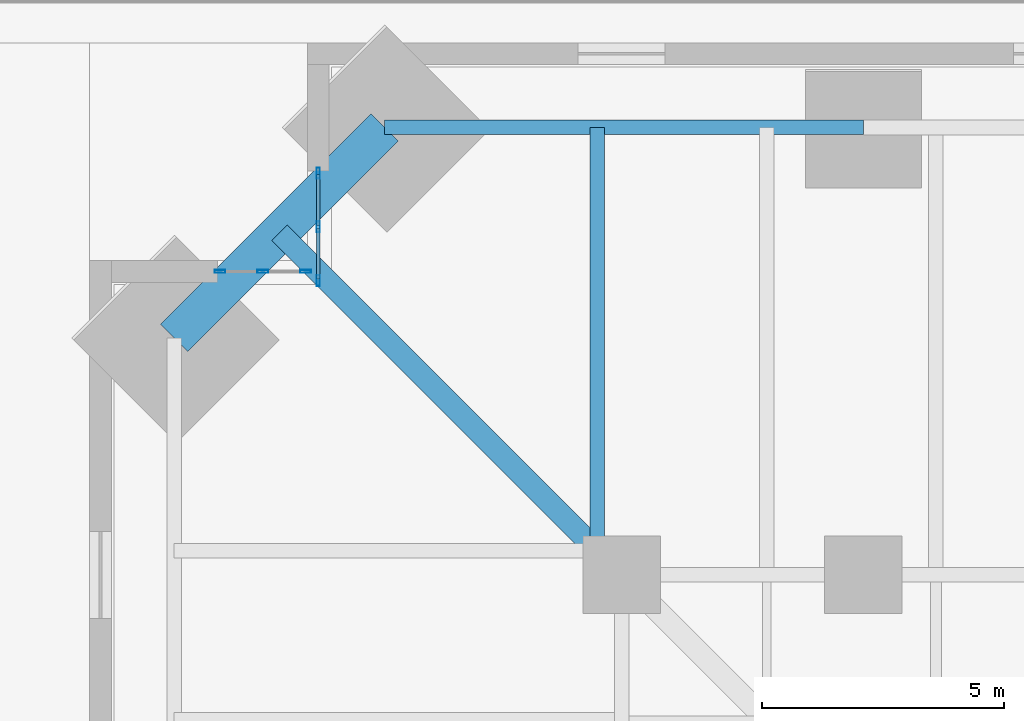
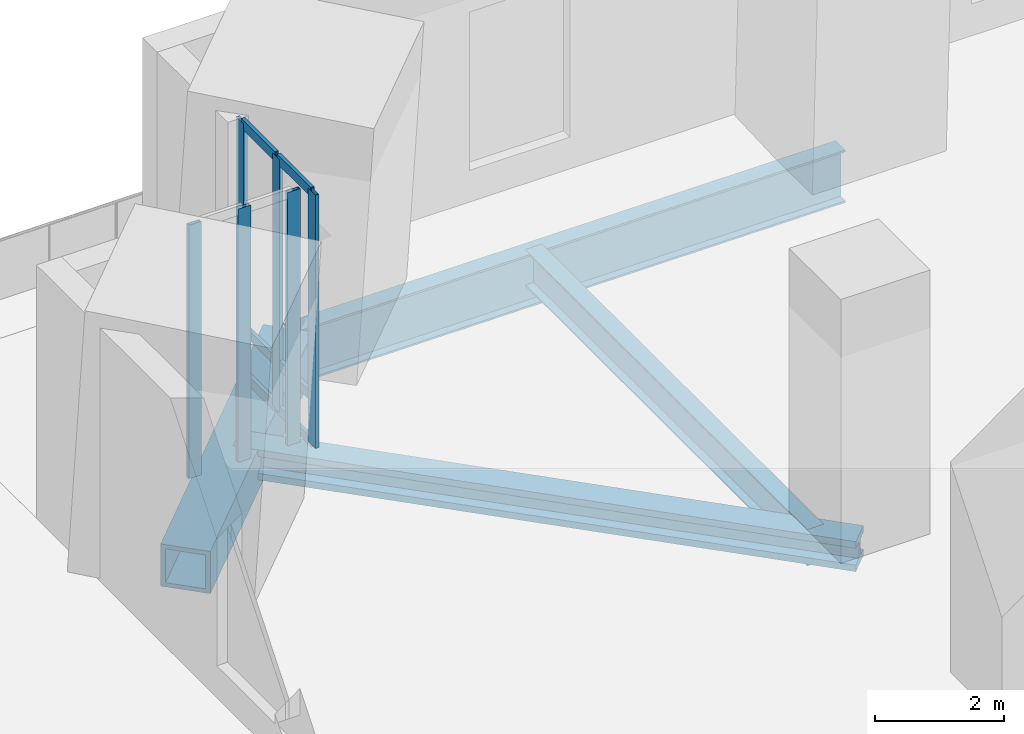
# One storey, part 6 of 26: 12 members, 4 beams, 2 elements without a shape of their own.
"""IFC4 building model written with IfcOpenShell, lengths in metres."""

from ifc_helpers import new_model, si_unit, direction, frame, origin, origin_2d, place, context, subcontext, project, spatial, hollow_rectangle, i_section, extrude, material, material_profile, profile_set, type_object, element, aggregate, save


model = new_model("IFC4")

# Units and contexts
model_context = context("Model", 3, precision=1e-05, world=origin(), true_north=direction((0.0, 1.0)))
body_context = subcontext(model_context, "Body", "Model", "MODEL_VIEW")
ifc_project = project(units=[si_unit("LENGTHUNIT", "METRE"), si_unit("AREAUNIT", "SQUARE_METRE"), si_unit("VOLUMEUNIT", "CUBIC_METRE"), si_unit("PLANEANGLEUNIT", "RADIAN"), si_unit("MASSUNIT", "GRAM", prefix="KILO")], contexts=[model_context])

# Site, building, storey
site_placement = place(None, origin())
site = spatial("IfcSite", under=ifc_project, at=site_placement, CompositionType="ELEMENT")
building_placement = place(site_placement, origin())
building = spatial("IfcBuilding", under=site, at=building_placement, Name="Peilmerk Tower", CompositionType="ELEMENT")
storey_placement = place(building_placement, frame((0.0, 0.0, 16.0)))
storey = spatial("IfcBuildingStorey", under=building, at=storey_placement, Name="L03", CompositionType="ELEMENT", Elevation=16.0)

# Beams
ifc_material_1 = material(Name="Steel S355", Category="steel")
ifc_material_profile_1 = material_profile(ifc_material_1, i_section(OverallWidth=0.300048828125, OverallDepth=1.0, WebThickness=0.01904296875, FlangeThickness=0.035888671875, at=origin_2d()), Name="HEB 1000")
ifc_profile_set_1 = profile_set([ifc_material_profile_1], Name="Steel S355")
beam_type_1 = type_object("IfcBeamType", Name="B13 HEB 1000 edge beam", PredefinedType="SPANDREL", material=ifc_profile_set_1)
beam_1_placement = place(storey_placement, frame((-16.0, 30.251708984375, -0.699951171875), z_axis=(-1.0, 0.0, 0.0), x_axis=(0.0, -1.0, 0.0)))
element("IfcBeam", 1, at=beam_1_placement, inside=storey, type_object=beam_type_1, Name="Edge beam L03", PredefinedType="SPANDREL", context=body_context, shape_type="SweptSolid", body=[
    extrude(i_section(OverallWidth=0.300048828125, OverallDepth=1.0, WebThickness=0.01904296875, FlangeThickness=0.035888671875, at=origin_2d()), origin(), (0.0, 0.0, 1.0), 9.901611328125),
])
ifc_material_profile_2 = material_profile(ifc_material_1, i_section(OverallWidth=0.300048828125, OverallDepth=0.68994140625, WebThickness=0.014404296875, FlangeThickness=0.027099609375, at=origin_2d()), Name="HEA 700")
ifc_profile_set_2 = profile_set([ifc_material_profile_2], Name="Steel S355")
beam_type_2 = type_object("IfcBeamType", Name="B16 HEA 700 floor beam", PredefinedType="BEAM", material=ifc_profile_set_2)
beam_2_placement = place(storey_placement, frame((-21.5, 21.5, -0.544921875), z_axis=(0.0, 1.0, 0.0), x_axis=(-1.0, 0.0, 0.0)))
element("IfcBeam", 2, at=beam_2_placement, inside=storey, type_object=beam_type_2, Name="Floor beam L03", PredefinedType="BEAM", context=body_context, shape_type="SweptSolid", body=[
    extrude(i_section(OverallWidth=0.300048828125, OverallDepth=0.68994140625, WebThickness=0.014404296875, FlangeThickness=0.027099609375, at=origin_2d()), origin(), (0.0, 0.0, 1.0), 8.751708984375),
])
ifc_material_2 = material(Name="Steel S460", Category="steel")
ifc_material_profile_3 = material_profile(ifc_material_2, hollow_rectangle(XDim=0.800048828125, YDim=0.800048828125, WallThickness=0.080078125, at=origin_2d()), Name="BOX 800x800x80")
ifc_profile_set_3 = profile_set([ifc_material_profile_3], Name="Steel S460")
beam_type_3 = type_object("IfcBeamType", Name="B8 BOX 800x800x80 notch beam", PredefinedType="SPANDREL", material=ifc_profile_set_3)
beam_3_placement = place(storey_placement, frame((-30.251708984375, 25.901611328125, -0.60009765625), z_axis=(0.707106781187, 0.707106781187, 0.0), x_axis=(-0.707106781187, 0.707106781187, 0.0)))
element("IfcBeam", 3, at=beam_3_placement, inside=storey, type_object=beam_type_3, Name="Notch beam L03", PredefinedType="SPANDREL", context=body_context, shape_type="SweptSolid", body=[
    extrude(hollow_rectangle(XDim=0.800048828125, YDim=0.800048828125, WallThickness=0.080078125, at=origin_2d()), origin(), (0.0, 0.0, 1.0), 6.15185546875),
])
ifc_material_profile_4 = material_profile(ifc_material_2, i_section(OverallWidth=0.4541015625, OverallDepth=0.569091796875, WebThickness=0.077880859375, FlangeThickness=0.125, at=origin_2d()), Name="HD 400x1086")
ifc_profile_set_4 = profile_set([ifc_material_profile_4], Name="Steel S460")
beam_type_4 = type_object("IfcBeamType", Name="B9 HD 400x1086 corner girder", PredefinedType="BEAM", material=ifc_profile_set_4)
beam_4_placement = place(storey_placement, frame((-21.0, 21.0, -0.484619140625), z_axis=(-0.707106781187, 0.707106781187, 0.0), x_axis=(-0.707106781187, -0.707106781187, 0.0)))
element("IfcBeam", 4, at=beam_4_placement, inside=storey, type_object=beam_type_4, Name="Corner girder L03", PredefinedType="BEAM", context=body_context, shape_type="SweptSolid", body=[
    extrude(i_section(OverallWidth=0.4541015625, OverallDepth=0.569091796875, WebThickness=0.077880859375, FlangeThickness=0.125, at=origin_2d()), origin(), (0.0, 0.0, 1.0), 10.0078125),
])

# Curtain wall, members
ifc_material_3 = material(Name="Aluminium stick curtain wall", Category="aluminium")
curtain_wall_type = type_object("IfcCurtainWallType", Name="CW1 stick curtain wall, 1500 module", PredefinedType="NOTDEFINED", material=ifc_material_3)
curtain_wall_1_placement = place(storey_placement, origin())
curtain_wall_1 = element("IfcCurtainWall", 5, at=curtain_wall_1_placement, inside=storey, type_object=curtain_wall_type, Name="Curtain wall CW1 NWA L03", PredefinedType="NOTDEFINED")
ifc_material_4 = material(Name="Aluminium EN AW-6063 T6", Category="aluminium")
ifc_material_profile_5 = material_profile(ifc_material_4, hollow_rectangle(XDim=0.06494140625, YDim=0.22509765625, WallThickness=0.00390625, at=origin_2d()), Name="AL 225x65x4")
ifc_profile_set_5 = profile_set([ifc_material_profile_5], Name="Aluminium EN AW-6063 T6")
member_type_1 = type_object("IfcMemberType", Name="CW1-M AL 225x65x4 mullion", PredefinedType="MULLION", material=ifc_profile_set_5)
member_1_placement = place(storey_placement, frame((-27.27490234375, 27.08251953125, 0.0), z_axis=(0.0, 0.0, 1.0), x_axis=(-1.0, 0.0, 0.0)))
member_1 = element("IfcMember", 6, at=member_1_placement, type_object=member_type_1, Name="CW1 mullion 1", PredefinedType="MULLION", context=body_context, shape_type="SweptSolid", body=[
    extrude(hollow_rectangle(XDim=0.06494140625, YDim=0.22509765625, WallThickness=0.00390625, at=origin_2d()), origin(), (0.0, 0.0, 1.0), 4.800048828125),
])
member_2_placement = place(storey_placement, frame((-27.27490234375, 28.1943359375, 0.0), z_axis=(0.0, 0.0, 1.0), x_axis=(-1.0, 0.0, 0.0)))
member_2 = element("IfcMember", 7, at=member_2_placement, type_object=member_type_1, Name="CW1 mullion 2", PredefinedType="MULLION", context=body_context, shape_type="SweptSolid", body=[
    extrude(hollow_rectangle(XDim=0.06494140625, YDim=0.22509765625, WallThickness=0.00390625, at=origin_2d()), origin(), (0.0, 0.0, 1.0), 4.800048828125),
])
member_3_placement = place(storey_placement, frame((-27.27490234375, 29.30615234375, 0.0), z_axis=(0.0, 0.0, 1.0), x_axis=(-1.0, 0.0, 0.0)))
member_3 = element("IfcMember", 8, at=member_3_placement, type_object=member_type_1, Name="CW1 mullion 3", PredefinedType="MULLION", context=body_context, shape_type="SweptSolid", body=[
    extrude(hollow_rectangle(XDim=0.06494140625, YDim=0.22509765625, WallThickness=0.00390625, at=origin_2d()), origin(), (0.0, 0.0, 1.0), 4.800048828125),
])

curtain_wall_2_placement = place(storey_placement, origin())
curtain_wall_2 = element("IfcCurtainWall", 9, at=curtain_wall_2_placement, inside=storey, type_object=curtain_wall_type, Name="Curtain wall CW1 NWB L03", PredefinedType="NOTDEFINED")
member_4_placement = place(storey_placement, frame((-27.532470703125, 27.27490234375, 0.0), z_axis=(0.0, 0.0, 1.0), x_axis=(0.0, -1.0, 0.0)))
member_4 = element("IfcMember", 10, at=member_4_placement, type_object=member_type_1, Name="CW1 mullion 1", PredefinedType="MULLION", context=body_context, shape_type="SweptSolid", body=[
    extrude(hollow_rectangle(XDim=0.06494140625, YDim=0.22509765625, WallThickness=0.00390625, at=origin_2d()), origin(), (0.0, 0.0, 1.0), 4.800048828125),
])
member_5_placement = place(storey_placement, frame((-28.41943359375, 27.27490234375, 0.0), z_axis=(0.0, 0.0, 1.0), x_axis=(0.0, -1.0, 0.0)))
member_5 = element("IfcMember", 11, at=member_5_placement, type_object=member_type_1, Name="CW1 mullion 2", PredefinedType="MULLION", context=body_context, shape_type="SweptSolid", body=[
    extrude(hollow_rectangle(XDim=0.06494140625, YDim=0.22509765625, WallThickness=0.00390625, at=origin_2d()), origin(), (0.0, 0.0, 1.0), 4.800048828125),
])
member_6_placement = place(storey_placement, frame((-29.30615234375, 27.27490234375, 0.0), z_axis=(0.0, 0.0, 1.0), x_axis=(0.0, -1.0, 0.0)))
member_6 = element("IfcMember", 12, at=member_6_placement, type_object=member_type_1, Name="CW1 mullion 3", PredefinedType="MULLION", context=body_context, shape_type="SweptSolid", body=[
    extrude(hollow_rectangle(XDim=0.06494140625, YDim=0.22509765625, WallThickness=0.00390625, at=origin_2d()), origin(), (0.0, 0.0, 1.0), 4.800048828125),
])
aggregate(curtain_wall_2, [member_4, member_5, member_6])

# Member
ifc_material_profile_6 = material_profile(ifc_material_4, hollow_rectangle(XDim=0.06494140625, YDim=0.179931640625, WallThickness=0.0029296875, at=origin_2d()), Name="AL 180x65x3")
ifc_profile_set_6 = profile_set([ifc_material_profile_6], Name="Aluminium EN AW-6063 T6")
member_type_2 = type_object("IfcMemberType", Name="CW1-T AL 180x65x3 transom", PredefinedType="USERDEFINED", material=ifc_profile_set_6)
member_7_placement = place(storey_placement, frame((-27.27490234375, 27.114990234375, 0.032470703125), z_axis=(0.0, 1.0, 0.0), x_axis=(-1.0, 0.0, 0.0)))
member_7 = element("IfcMember", 13, at=member_7_placement, type_object=member_type_2, Name="CW1 transom 1.1", ObjectType="TRANSOM", PredefinedType="USERDEFINED", context=body_context, shape_type="SweptSolid", body=[
    extrude(hollow_rectangle(XDim=0.06494140625, YDim=0.179931640625, WallThickness=0.0029296875, at=origin_2d()), origin(), (0.0, 0.0, 1.0), 1.046875),
])

member_8_placement = place(storey_placement, frame((-27.27490234375, 27.114990234375, 0.89990234375), z_axis=(0.0, 1.0, 0.0), x_axis=(-1.0, 0.0, 0.0)))
member_8 = element("IfcMember", 14, at=member_8_placement, type_object=member_type_2, Name="CW1 transom 1.2", ObjectType="TRANSOM", PredefinedType="USERDEFINED", context=body_context, shape_type="SweptSolid", body=[
    extrude(hollow_rectangle(XDim=0.06494140625, YDim=0.179931640625, WallThickness=0.0029296875, at=origin_2d()), origin(), (0.0, 0.0, 1.0), 1.046875),
])

member_9_placement = place(storey_placement, frame((-27.27490234375, 27.114990234375, 4.767578125), z_axis=(0.0, 1.0, 0.0), x_axis=(-1.0, 0.0, 0.0)))
member_9 = element("IfcMember", 15, at=member_9_placement, type_object=member_type_2, Name="CW1 transom 1.3", ObjectType="TRANSOM", PredefinedType="USERDEFINED", context=body_context, shape_type="SweptSolid", body=[
    extrude(hollow_rectangle(XDim=0.06494140625, YDim=0.179931640625, WallThickness=0.0029296875, at=origin_2d()), origin(), (0.0, 0.0, 1.0), 1.046875),
])

member_10_placement = place(storey_placement, frame((-27.27490234375, 28.226806640625, 0.032470703125), z_axis=(0.0, 1.0, 0.0), x_axis=(-1.0, 0.0, 0.0)))
member_10 = element("IfcMember", 16, at=member_10_placement, type_object=member_type_2, Name="CW1 transom 2.1", ObjectType="TRANSOM", PredefinedType="USERDEFINED", context=body_context, shape_type="SweptSolid", body=[
    extrude(hollow_rectangle(XDim=0.06494140625, YDim=0.179931640625, WallThickness=0.0029296875, at=origin_2d()), origin(), (0.0, 0.0, 1.0), 1.046875),
])

member_11_placement = place(storey_placement, frame((-27.27490234375, 28.226806640625, 0.89990234375), z_axis=(0.0, 1.0, 0.0), x_axis=(-1.0, 0.0, 0.0)))
member_11 = element("IfcMember", 17, at=member_11_placement, type_object=member_type_2, Name="CW1 transom 2.2", ObjectType="TRANSOM", PredefinedType="USERDEFINED", context=body_context, shape_type="SweptSolid", body=[
    extrude(hollow_rectangle(XDim=0.06494140625, YDim=0.179931640625, WallThickness=0.0029296875, at=origin_2d()), origin(), (0.0, 0.0, 1.0), 1.046875),
])

member_12_placement = place(storey_placement, frame((-27.27490234375, 28.226806640625, 4.767578125), z_axis=(0.0, 1.0, 0.0), x_axis=(-1.0, 0.0, 0.0)))
member_12 = element("IfcMember", 18, at=member_12_placement, type_object=member_type_2, Name="CW1 transom 2.3", ObjectType="TRANSOM", PredefinedType="USERDEFINED", context=body_context, shape_type="SweptSolid", body=[
    extrude(hollow_rectangle(XDim=0.06494140625, YDim=0.179931640625, WallThickness=0.0029296875, at=origin_2d()), origin(), (0.0, 0.0, 1.0), 1.046875),
])

aggregate(curtain_wall_1, [member_1, member_2, member_3, member_7, member_8, member_9, member_10, member_11, member_12])

save(model, "model.ifc")
